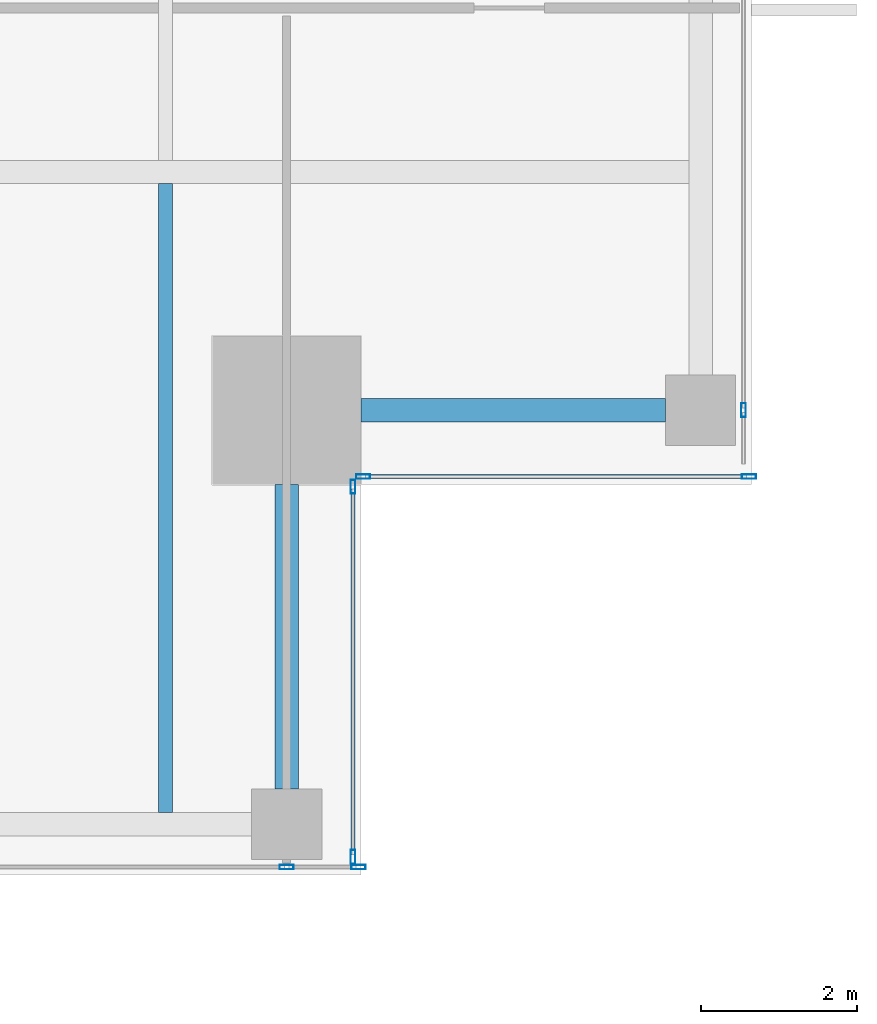
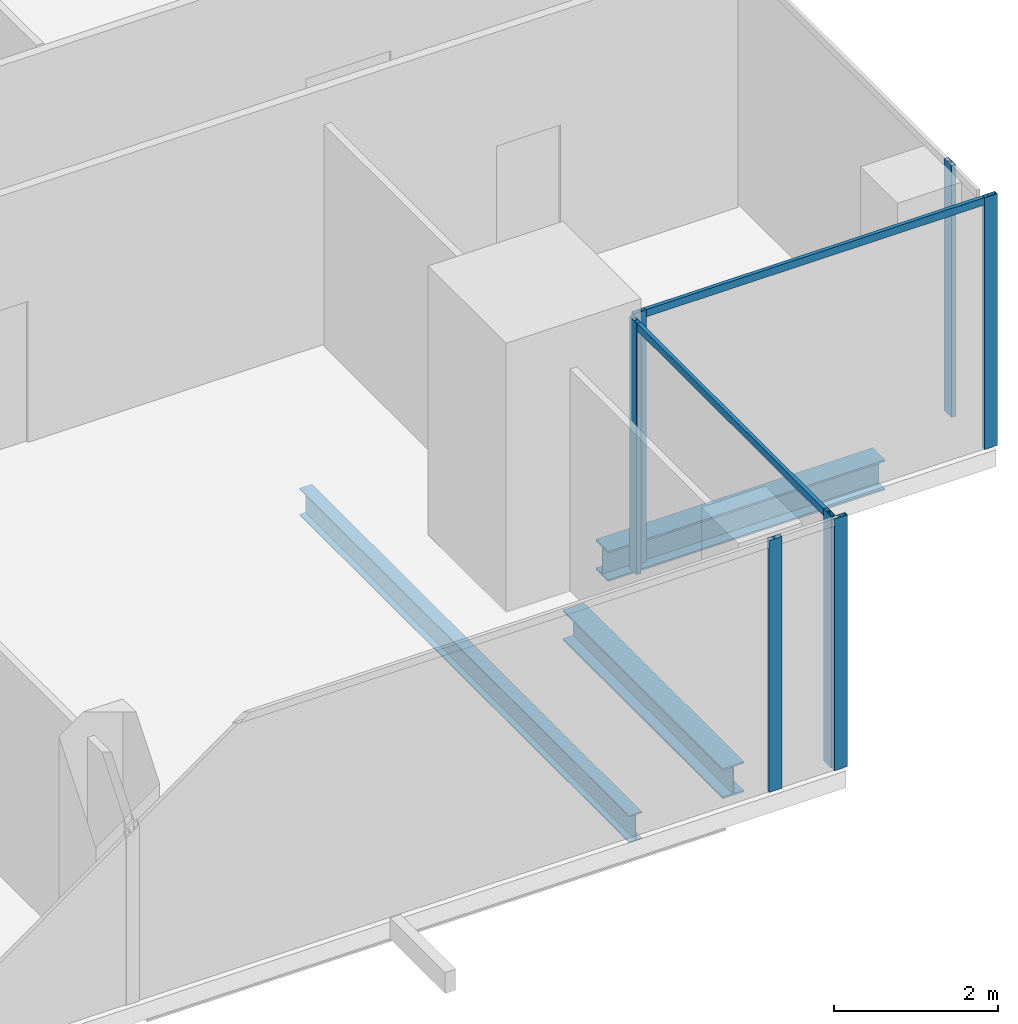
# One storey, part 10 of 36: 9 members, 3 beams, 4 elements without a shape of their own.
"""IFC4 building model written with IfcOpenShell, lengths in metres."""

import ifcopenshell
import ifcopenshell.guid

model = None  # the IFC model being written
_history = None  # IfcOwnerHistory: only IFC2X3 demands one
_inside = {}  # id of a spatial element -> (the spatial element, [elements in it])
_under = {}  # id of a project, library or spatial element -> (it, [spatial elements below it])
_declared = {}  # id of a project -> (the project, [libraries it declares])
_typed = {}  # id of a type object -> (the type object, [elements of that type])
_made_of = {}  # id of a material, layer set ... -> (it, [elements and type objects made of it])


def new_model(schema):
    """Start an empty IFC model of exactly this schema.

    Asked for "IFC4X3", IfcOpenShell would pick the latest addendum, in which some entities
    have other attributes; the version numbers below select the first issue.
    IFC2X3 requires an IfcOwnerHistory on every rooted entity: one is made here for all.
    """
    global model, _history
    if schema == "IFC4X3":
        model = ifcopenshell.file(schema_version=(4, 3, 0, 0))
    else:
        model = ifcopenshell.file(schema=schema)
    _inside.clear()
    _under.clear()
    _declared.clear()
    _typed.clear()
    _made_of.clear()
    _history = None
    if model.schema == "IFC2X3":
        org = make("IfcOrganization", Name="unknown")
        user = make(
            "IfcPersonAndOrganization",
            ThePerson=make("IfcPerson", FamilyName="unknown"),
            TheOrganization=org,
        )
        app = make(
            "IfcApplication",
            ApplicationDeveloper=org,
            Version="unknown",
            ApplicationFullName="unknown",
            ApplicationIdentifier="unknown",
        )
        _history = make(
            "IfcOwnerHistory",
            OwningUser=user,
            OwningApplication=app,
            ChangeAction="ADDED",
            CreationDate=0,
        )
    return model


def make(cls, **values):
    """One entity of the class cls with the attributes given. An attribute that is None is left unset."""
    return model.create_entity(
        cls, **{name: value for name, value in values.items() if value is not None}
    )


def rooted(cls, **values):
    """An entity with a GlobalId (a new one), such as an element, a storey or a relation."""
    return make(cls, GlobalId=ifcopenshell.guid.new(), OwnerHistory=_history, **values)


def si_unit(unit_type, name, prefix=None):
    """IfcSIUnit, for example si_unit("LENGTHUNIT", "METRE", prefix="MILLI")."""
    return make("IfcSIUnit", UnitType=unit_type, Prefix=prefix, Name=name)


def assignment(units):
    """IfcUnitAssignment: the units of a project."""
    return None if units is None else make("IfcUnitAssignment", Units=units)


def point(xyz):
    """IfcCartesianPoint."""
    return None if xyz is None else make("IfcCartesianPoint", Coordinates=xyz)


def direction(xyz):
    """IfcDirection."""
    return None if xyz is None else make("IfcDirection", DirectionRatios=xyz)


def frame(location, z_axis=None, x_axis=None):
    """IfcAxis2Placement3D, a coordinate frame: its origin and axes. An axis left out is left unset."""
    return make(
        "IfcAxis2Placement3D",
        Location=point(location),
        Axis=direction(z_axis),
        RefDirection=direction(x_axis),
    )


def frame_2d(location, x_axis=None):
    """IfcAxis2Placement2D, a coordinate frame in the plane: its origin and x axis."""
    return make(
        "IfcAxis2Placement2D", Location=point(location), RefDirection=direction(x_axis)
    )


def origin():
    """The frame at (0, 0, 0) with its axes left unset."""
    return frame((0.0, 0.0, 0.0))


def origin_2d():
    """The frame at (0, 0) in the plane with its x axis left unset."""
    return frame_2d((0.0, 0.0))


def place(relative_to, where):
    """IfcLocalPlacement: puts the frame where relative to a parent placement (None: the world)."""
    return make(
        "IfcLocalPlacement", PlacementRelTo=relative_to, RelativePlacement=where
    )


def context(
    kind, dimensions, precision=None, world=None, true_north=None, identifier=None
):
    """IfcGeometricRepresentationContext, for example the 3D "Model" context."""
    return make(
        "IfcGeometricRepresentationContext",
        ContextIdentifier=identifier,
        ContextType=kind,
        CoordinateSpaceDimension=dimensions,
        Precision=precision,
        WorldCoordinateSystem=world,
        TrueNorth=true_north,
    )


def subcontext(parent, identifier, kind, view, scale=None):
    """IfcGeometricRepresentationSubContext, for example "Body" below "Model"."""
    return make(
        "IfcGeometricRepresentationSubContext",
        ContextIdentifier=identifier,
        ContextType=kind,
        ParentContext=parent,
        TargetScale=scale,
        TargetView=view,
    )


def project(units=None, contexts=None):
    """IfcProject with its units and contexts."""
    return rooted(
        "IfcProject",
        Name="project",
        RepresentationContexts=contexts,
        UnitsInContext=assignment(units),
    )


def spatial(cls, under=None, at=None, **own):
    """A site, building, storey or space (cls), placed at a placement, below another one or the project."""
    s = rooted(cls, ObjectPlacement=at, **own)
    if under is not None:
        _under.setdefault(under.id(), (under, []))[1].append(s)
    return s


def profile(cls, at=None, kind="AREA", **sizes):
    """A parametric profile (cls). Its sizes go by their IFC names, for example OverallWidth=200.0."""
    return make(cls, ProfileType=kind, Position=at, **sizes)


def hollow_rectangle(**sizes):
    """IfcRectangleHollowProfileDef."""
    return profile("IfcRectangleHollowProfileDef", **sizes)


def i_section(**sizes):
    """IfcIShapeProfileDef."""
    return profile("IfcIShapeProfileDef", **sizes)


def extrude(swept, where, along, depth):
    """IfcExtrudedAreaSolid: the profile swept, set in the frame where, extruded along a direction by depth."""
    return make(
        "IfcExtrudedAreaSolid",
        SweptArea=swept,
        Position=where,
        ExtrudedDirection=direction(along),
        Depth=depth,
    )


def shape(context_of_items, identifier, shape_type, items):
    """IfcShapeRepresentation: the items that make up one representation, for example the "Body"."""
    return make(
        "IfcShapeRepresentation",
        ContextOfItems=context_of_items,
        RepresentationIdentifier=identifier,
        RepresentationType=shape_type,
        Items=items,
    )


def source(mapping_origin, context_of_items, identifier, shape_type, items):
    """IfcRepresentationMap: a shape defined once, which mapped items show again and again."""
    return make(
        "IfcRepresentationMap",
        MappingOrigin=mapping_origin,
        MappedRepresentation=shape(context_of_items, identifier, shape_type, items),
    )


def transform(
    local_origin,
    x_axis=None,
    y_axis=None,
    z_axis=None,
    scale=None,
    scale2=None,
    scale3=None,
    uniform=True,
):
    """IfcCartesianTransformationOperator3D, or its non-uniform kind. x_axis, y_axis, z_axis: its Axis1, 2, 3."""
    if uniform:
        return make(
            "IfcCartesianTransformationOperator3D",
            Axis1=direction(x_axis),
            Axis2=direction(y_axis),
            LocalOrigin=point(local_origin),
            Scale=scale,
            Axis3=direction(z_axis),
        )
    return make(
        "IfcCartesianTransformationOperator3DnonUniform",
        Axis1=direction(x_axis),
        Axis2=direction(y_axis),
        LocalOrigin=point(local_origin),
        Scale=scale,
        Axis3=direction(z_axis),
        Scale2=scale2,
        Scale3=scale3,
    )


def mapped(mapping_source, mapping_target):
    """IfcMappedItem: shows the shape of a source again, moved by a transform."""
    return make(
        "IfcMappedItem", MappingSource=mapping_source, MappingTarget=mapping_target
    )


def material(Name=None, Category=None):
    """IfcMaterial."""
    return make("IfcMaterial", Name=Name, Category=Category)


def material_profile(
    of_material, cross_section, Name=None, Category=None, Priority=None
):
    """IfcMaterialProfile: a cross section and its material."""
    return make(
        "IfcMaterialProfile",
        Name=Name,
        Material=of_material,
        Profile=cross_section,
        Priority=Priority,
        Category=Category,
    )


def profile_set(profiles, Name=None, composite=None):
    """IfcMaterialProfileSet."""
    return make(
        "IfcMaterialProfileSet",
        Name=Name,
        MaterialProfiles=profiles,
        CompositeProfile=composite,
    )


def made_of(thing, what):
    """Note that an element or type object is made of a material, layer set ...; save() writes the relation."""
    if what is not None:
        _made_of.setdefault(what.id(), (what, []))[1].append(thing)
    return thing


def type_object(cls, material=None, **own):
    """A type object (cls), such as IfcWallType, which elements share."""
    return made_of(rooted(cls, **own), material)


def element(
    cls,
    number,
    at=None,
    inside=None,
    cuts=None,
    type_object=None,
    material=None,
    context=None,
    identifier="Body",
    shape_type=None,
    held_by="IfcProductDefinitionShape",
    body=None,
    shapes=None,
    **own,
):
    """One element of the class cls, such as IfcWall. Its Tag is "e" and its number.

    at: its placement. inside: the storey or other place that contains it. cuts: it is an
    opening in that element (IfcRelVoidsElement). A single representation is given by context,
    identifier, shape_type and body (its items); several are given by shapes. held_by: the class
    of the entity that holds the representations. save() writes the other relations.
    """
    e = rooted(cls, Tag="e%d" % number, ObjectPlacement=at, **own)
    if body is not None:
        shapes = [shape(context, identifier, shape_type, body)]
    if shapes is not None:
        e.Representation = make(held_by, Representations=shapes)
    if inside is not None:
        _inside.setdefault(inside.id(), (inside, []))[1].append(e)
    if cuts is not None:
        rooted(
            "IfcRelVoidsElement", RelatingBuildingElement=cuts, RelatedOpeningElement=e
        )
    if type_object is not None:
        _typed.setdefault(type_object.id(), (type_object, []))[1].append(e)
    return made_of(e, material)


def aggregate(whole, parts):
    """IfcRelAggregates: a whole, such as a stair, and the parts it consists of."""
    return rooted("IfcRelAggregates", RelatingObject=whole, RelatedObjects=parts)


def save(model, path):
    """Write the relations noted so far, then the file.

    IfcRelAggregates (storeys below a building ...), IfcRelContainedInSpatialStructure (elements
    in a storey), IfcRelDefinesByType, IfcRelAssociatesMaterial and IfcRelDeclares: one each for
    every whole, place, type object, material and project.
    """
    for whole, parts in _under.values():
        aggregate(whole, parts)
    for where, things in _inside.values():
        rooted(
            "IfcRelContainedInSpatialStructure",
            RelatedElements=things,
            RelatingStructure=where,
        )
    for kind, things in _typed.values():
        rooted("IfcRelDefinesByType", RelatedObjects=things, RelatingType=kind)
    for what, things in _made_of.values():
        rooted("IfcRelAssociatesMaterial", RelatedObjects=things, RelatingMaterial=what)
    for by, libraries in _declared.values():
        rooted("IfcRelDeclares", RelatingContext=by, RelatedDefinitions=libraries)
    model.write(path)


model = new_model("IFC4")

# Units and contexts
model_context = context("Model", 3, precision=1e-05, world=origin(), true_north=direction((0.0, 1.0)))
body_context = subcontext(model_context, "Body", "Model", "MODEL_VIEW")
ifc_project = project(units=[si_unit("LENGTHUNIT", "METRE"), si_unit("AREAUNIT", "SQUARE_METRE"), si_unit("VOLUMEUNIT", "CUBIC_METRE"), si_unit("PLANEANGLEUNIT", "RADIAN"), si_unit("MASSUNIT", "GRAM", prefix="KILO")], contexts=[model_context])

# Site, building, storey
site_placement = place(None, origin())
site = spatial("IfcSite", under=ifc_project, at=site_placement, CompositionType="ELEMENT")
building_placement = place(site_placement, origin())
building = spatial("IfcBuilding", under=site, at=building_placement, Name="Khomas Fold Tower", CompositionType="ELEMENT")
storey_placement = place(building_placement, frame((0.0, 0.0, 230.199951171875)))
storey = spatial("IfcBuildingStorey", under=building, at=storey_placement, Name="L51", CompositionType="ELEMENT", Elevation=230.199951171875)

# Beams
ifc_material_1 = material(Name="Steel S355", Category="steel")
ifc_material_profile_1 = material_profile(ifc_material_1, i_section(OverallWidth=0.300048828125, OverallDepth=0.449951171875, WebThickness=0.013916015625, FlangeThickness=0.02587890625, at=origin_2d()), Name="HE 450 B")
ifc_profile_set_1 = profile_set([ifc_material_profile_1], Name="Steel S355")
beam_type_1 = type_object("IfcBeamType", Name="HE 450 B spandrel SB4", PredefinedType="SPANDREL", material=ifc_profile_set_1)
shared_shape_1 = source(origin(), body_context, "Body", "SweptSolid", [
    extrude(i_section(OverallWidth=0.300048828125, OverallDepth=0.449951171875, WebThickness=0.013916015625, FlangeThickness=0.02587890625, at=origin_2d()), origin(), (0.0, 0.0, 1.0), 3.89990234375),
])
for number, where, z_axis, x_axis, name in (
    (1, (43.550048828125, 5.60009765625, -0.474853515625), (0.0, 1.0, 0.0), (-1.0, 0.0, 0.0), "SB4"),
    (2, (44.5, 10.449951171875, -0.474853515625), (1.0, 0.0, 0.0), (0.0, 1.0, 0.0), "SB4"),
):
    element("IfcBeam", number, at=place(storey_placement, frame(where, z_axis=z_axis, x_axis=x_axis)), inside=storey, type_object=beam_type_1, Name=name, PredefinedType="SPANDREL", context=body_context, shape_type="MappedRepresentation", body=[
        mapped(shared_shape_1, transform((0.0, 0.0, 0.0))),
    ])
ifc_material_2 = material(Name="Steel S355", Category="steel")
ifc_material_profile_2 = material_profile(ifc_material_2, i_section(OverallWidth=0.179931640625, OverallDepth=0.39990234375, WebThickness=0.008544921875, FlangeThickness=0.013427734375, at=origin_2d()), Name="IPE 400")
ifc_profile_set_2 = profile_set([ifc_material_profile_2], Name="Steel S355")
beam_type_2 = type_object("IfcBeamType", Name="IPE 400 beam JB3", PredefinedType="BEAM", material=ifc_profile_set_2)
shared_shape_2 = source(origin(), body_context, "Body", "SweptSolid", [
    extrude(i_section(OverallWidth=0.179931640625, OverallDepth=0.39990234375, WebThickness=0.008544921875, FlangeThickness=0.013427734375, at=origin_2d()), origin(), (0.0, 0.0, 1.0), 8.050048828125),
])
beam_placement = place(storey_placement, frame((42.0, 5.300048828125, -0.449951171875), z_axis=(0.0, 1.0, 0.0), x_axis=(-1.0, 0.0, 0.0)))
element("IfcBeam", 3, at=beam_placement, inside=storey, type_object=beam_type_2, Name="JB3", PredefinedType="BEAM", context=body_context, shape_type="MappedRepresentation", body=[
    mapped(shared_shape_2, transform((0.0, 0.0, 0.0))),
])

# Curtain wall, members
ifc_material_3 = material(Name="Aluminium framed double glazing", Category="aluminium")
curtain_wall_type = type_object("IfcCurtainWallType", Name="SK-Unitised clear-glass wall, office floors CW2", PredefinedType="NOTDEFINED", material=ifc_material_3)
curtain_wall_1_placement = place(storey_placement, origin())
curtain_wall_1 = element("IfcCurtainWall", 4, at=curtain_wall_1_placement, inside=storey, type_object=curtain_wall_type, Name="CW2 run L51 00-0", PredefinedType="NOTDEFINED")
ifc_material_4 = material(Name="Aluminium", Category="aluminium")
ifc_material_profile_3 = material_profile(ifc_material_4, hollow_rectangle(XDim=0.06005859375, YDim=0.179931640625, WallThickness=0.00390625, at=origin_2d()), Name="SK-Unitised clear-glass wall, office floors mullion CW2-M")
ifc_profile_set_3 = profile_set([ifc_material_profile_3], Name="Aluminium")
member_type_1 = type_object("IfcMemberType", Name="SK-Unitised clear-glass wall, office floors mullion CW2-M", PredefinedType="MULLION", material=ifc_profile_set_3)
shared_shape_3 = source(origin(), body_context, "Body", "SweptSolid", [
    extrude(hollow_rectangle(XDim=0.06005859375, YDim=0.179931640625, WallThickness=0.00390625, at=origin_2d()), origin(), (0.0, 0.0, 1.0), 3.75),
])
member_1_placement = place(storey_placement, frame((43.550048828125, 4.60009765625, 0.0), z_axis=(0.0, 0.0, 1.0), x_axis=(0.0, 1.0, 0.0)))
member_1 = element("IfcMember", 5, at=member_1_placement, type_object=member_type_1, Name="CW2 mullion 6", PredefinedType="MULLION", context=body_context, shape_type="MappedRepresentation", body=[
    mapped(shared_shape_3, transform((0.0, 0.0, 0.0))),
])
member_2_placement = place(storey_placement, frame((44.469970703125, 4.60009765625, 0.0), z_axis=(0.0, 0.0, 1.0), x_axis=(0.0, 1.0, 0.0)))
member_2 = element("IfcMember", 6, at=member_2_placement, type_object=member_type_1, Name="CW2 mullion 7", PredefinedType="MULLION", context=body_context, shape_type="MappedRepresentation", body=[
    mapped(shared_shape_3, transform((0.0, 0.0, 0.0))),
])
aggregate(curtain_wall_1, [member_1, member_2])

curtain_wall_2_placement = place(storey_placement, origin())
curtain_wall_2 = element("IfcCurtainWall", 7, at=curtain_wall_2_placement, inside=storey, type_object=curtain_wall_type, Name="CW2 corner return L51 01", PredefinedType="NOTDEFINED")
member_3_placement = place(storey_placement, frame((44.39990234375, 4.72998046875, 0.0), z_axis=(0.0, 0.0, 1.0), x_axis=(-1.0, 0.0, 0.0)))
member_3 = element("IfcMember", 8, at=member_3_placement, type_object=member_type_1, Name="CW2 mullion 1", PredefinedType="MULLION", context=body_context, shape_type="MappedRepresentation", body=[
    mapped(shared_shape_3, transform((0.0, 0.0, 0.0))),
])
member_4_placement = place(storey_placement, frame((44.39990234375, 9.469970703125, 0.0), z_axis=(0.0, 0.0, 1.0), x_axis=(-1.0, 0.0, 0.0)))
member_4 = element("IfcMember", 9, at=member_4_placement, type_object=member_type_1, Name="CW2 mullion 2", PredefinedType="MULLION", context=body_context, shape_type="MappedRepresentation", body=[
    mapped(shared_shape_3, transform((0.0, 0.0, 0.0))),
])

curtain_wall_3_placement = place(storey_placement, origin())
curtain_wall_3 = element("IfcCurtainWall", 10, at=curtain_wall_3_placement, inside=storey, type_object=curtain_wall_type, Name="CW2 corner return L51 02", PredefinedType="NOTDEFINED")
member_5_placement = place(storey_placement, frame((44.530029296875, 9.60009765625, 0.0), z_axis=(0.0, 0.0, 1.0), x_axis=(0.0, 1.0, 0.0)))
member_5 = element("IfcMember", 11, at=member_5_placement, type_object=member_type_1, Name="CW2 mullion 1", PredefinedType="MULLION", context=body_context, shape_type="MappedRepresentation", body=[
    mapped(shared_shape_3, transform((0.0, 0.0, 0.0))),
])
member_6_placement = place(storey_placement, frame((49.469970703125, 9.60009765625, 0.0), z_axis=(0.0, 0.0, 1.0), x_axis=(0.0, 1.0, 0.0)))
member_6 = element("IfcMember", 12, at=member_6_placement, type_object=member_type_1, Name="CW2 mullion 2", PredefinedType="MULLION", context=body_context, shape_type="MappedRepresentation", body=[
    mapped(shared_shape_3, transform((0.0, 0.0, 0.0))),
])

# Curtain wall, member
curtain_wall_4_placement = place(storey_placement, origin())
curtain_wall_4 = element("IfcCurtainWall", 13, at=curtain_wall_4_placement, inside=storey, type_object=curtain_wall_type, Name="CW2 run L51 03-0", PredefinedType="NOTDEFINED")
member_7_placement = place(storey_placement, frame((49.39990234375, 10.449951171875, 0.0), z_axis=(0.0, 0.0, 1.0), x_axis=(-1.0, 0.0, 0.0)))
member_7 = element("IfcMember", 14, at=member_7_placement, type_object=member_type_1, Name="CW2 mullion 2", PredefinedType="MULLION", context=body_context, shape_type="MappedRepresentation", body=[
    mapped(shared_shape_3, transform((0.0, 0.0, 0.0))),
])
aggregate(curtain_wall_4, [member_7])

# Member
ifc_material_5 = material(Name="Aluminium", Category="aluminium")
ifc_material_profile_4 = material_profile(ifc_material_5, hollow_rectangle(XDim=0.050048828125, YDim=0.110107421875, WallThickness=0.00390625, at=origin_2d()), Name="SK-Unitised clear-glass wall, office floors transom CW2-T")
ifc_profile_set_4 = profile_set([ifc_material_profile_4], Name="Aluminium")
member_type_2 = type_object("IfcMemberType", Name="SK-Unitised clear-glass wall, office floors transom CW2-T", PredefinedType="USERDEFINED", material=ifc_profile_set_4)
shared_shape_4 = source(origin(), body_context, "Body", "SweptSolid", [
    extrude(hollow_rectangle(XDim=0.050048828125, YDim=0.110107421875, WallThickness=0.00390625, at=origin_2d()), origin(), (0.0, 0.0, 1.0), 4.679931640625),
])
member_8_placement = place(storey_placement, frame((44.39990234375, 4.760009765625, 3.695068359375), z_axis=(0.0, 1.0, 0.0), x_axis=(-1.0, 0.0, 0.0)))
member_8 = element("IfcMember", 15, at=member_8_placement, type_object=member_type_2, Name="CW2 transom 1", ObjectType="TRANSOM", PredefinedType="USERDEFINED", context=body_context, shape_type="MappedRepresentation", body=[
    mapped(shared_shape_4, transform((0.0, 0.0, 0.0))),
])

aggregate(curtain_wall_2, [member_3, member_4, member_8])

shared_shape_5 = source(origin(), body_context, "Body", "SweptSolid", [
    extrude(hollow_rectangle(XDim=0.050048828125, YDim=0.110107421875, WallThickness=0.00390625, at=origin_2d()), origin(), (0.0, 0.0, 1.0), 4.8798828125),
])
member_9_placement = place(storey_placement, frame((44.56005859375, 9.60009765625, 3.695068359375), z_axis=(1.0, 0.0, 0.0), x_axis=(0.0, 1.0, 0.0)))
member_9 = element("IfcMember", 16, at=member_9_placement, type_object=member_type_2, Name="CW2 transom 1", ObjectType="TRANSOM", PredefinedType="USERDEFINED", context=body_context, shape_type="MappedRepresentation", body=[
    mapped(shared_shape_5, transform((0.0, 0.0, 0.0))),
])

aggregate(curtain_wall_3, [member_5, member_6, member_9])

save(model, "model.ifc")
